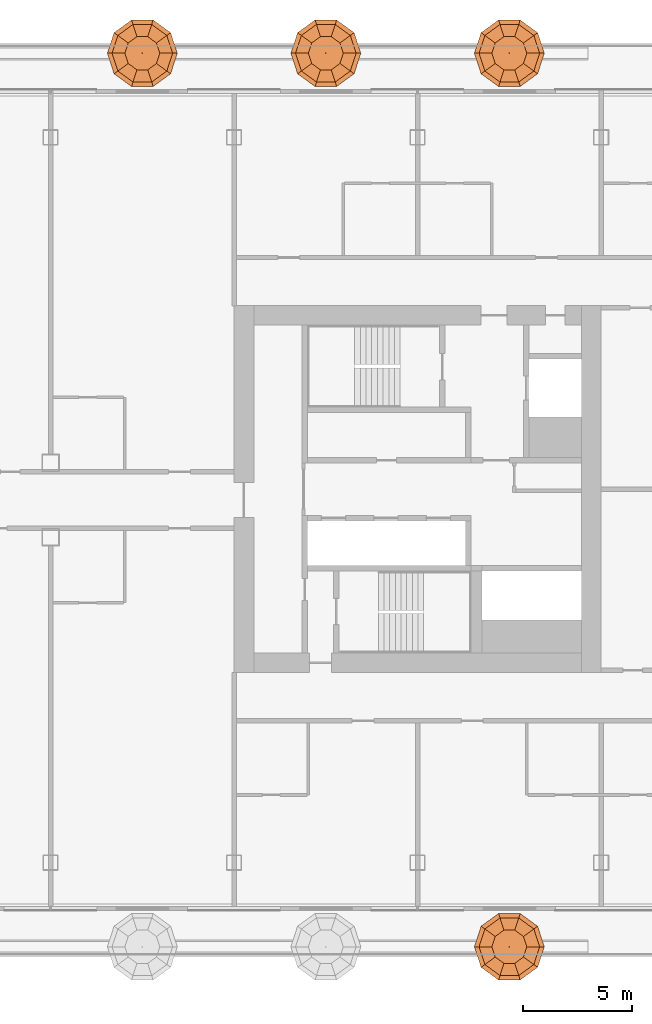
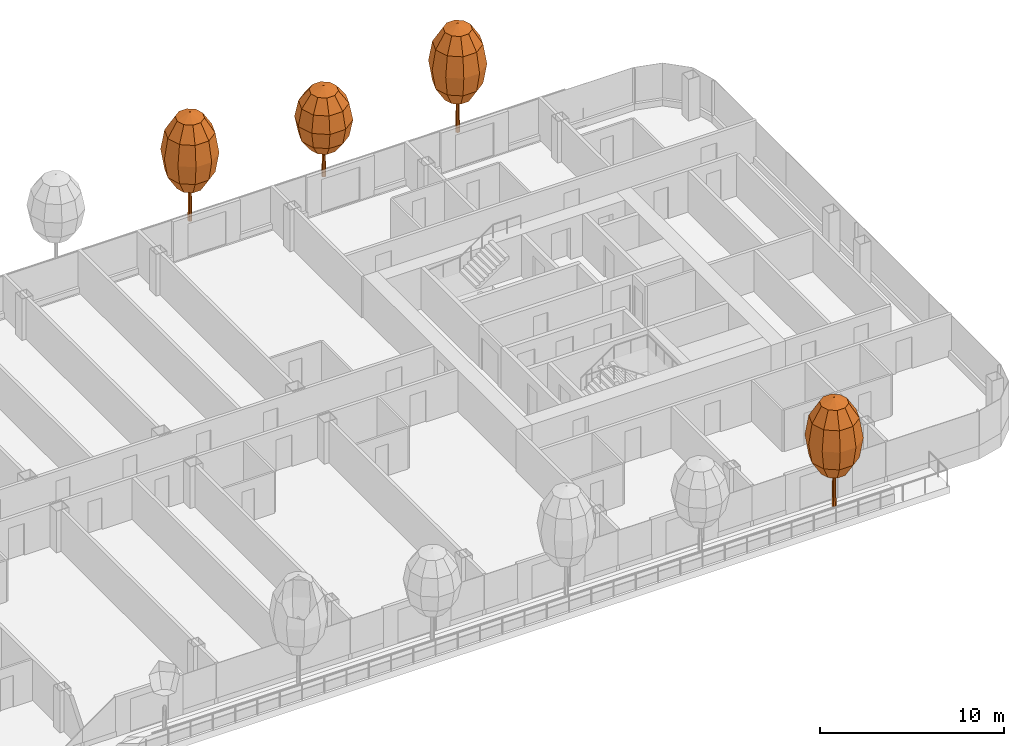
# One storey, part 29 of 29: 4 geographic elements.
"""IFC4 building model written with IfcOpenShell, lengths in metres."""

import ifcopenshell
import ifcopenshell.guid

model = None  # the IFC model being written
_history = None  # IfcOwnerHistory: only IFC2X3 demands one
_inside = {}  # id of a spatial element -> (the spatial element, [elements in it])
_under = {}  # id of a project, library or spatial element -> (it, [spatial elements below it])
_declared = {}  # id of a project -> (the project, [libraries it declares])
_typed = {}  # id of a type object -> (the type object, [elements of that type])
_made_of = {}  # id of a material, layer set ... -> (it, [elements and type objects made of it])


def new_model(schema):
    """Start an empty IFC model of exactly this schema.

    Asked for "IFC4X3", IfcOpenShell would pick the latest addendum, in which some entities
    have other attributes; the version numbers below select the first issue.
    IFC2X3 requires an IfcOwnerHistory on every rooted entity: one is made here for all.
    """
    global model, _history
    if schema == "IFC4X3":
        model = ifcopenshell.file(schema_version=(4, 3, 0, 0))
    else:
        model = ifcopenshell.file(schema=schema)
    _inside.clear()
    _under.clear()
    _declared.clear()
    _typed.clear()
    _made_of.clear()
    _history = None
    if model.schema == "IFC2X3":
        org = make("IfcOrganization", Name="unknown")
        user = make(
            "IfcPersonAndOrganization",
            ThePerson=make("IfcPerson", FamilyName="unknown"),
            TheOrganization=org,
        )
        app = make(
            "IfcApplication",
            ApplicationDeveloper=org,
            Version="unknown",
            ApplicationFullName="unknown",
            ApplicationIdentifier="unknown",
        )
        _history = make(
            "IfcOwnerHistory",
            OwningUser=user,
            OwningApplication=app,
            ChangeAction="ADDED",
            CreationDate=0,
        )
    return model


def make(cls, **values):
    """One entity of the class cls with the attributes given. An attribute that is None is left unset."""
    return model.create_entity(
        cls, **{name: value for name, value in values.items() if value is not None}
    )


def rooted(cls, **values):
    """An entity with a GlobalId (a new one), such as an element, a storey or a relation."""
    return make(cls, GlobalId=ifcopenshell.guid.new(), OwnerHistory=_history, **values)


def si_unit(unit_type, name, prefix=None):
    """IfcSIUnit, for example si_unit("LENGTHUNIT", "METRE", prefix="MILLI")."""
    return make("IfcSIUnit", UnitType=unit_type, Prefix=prefix, Name=name)


def assignment(units):
    """IfcUnitAssignment: the units of a project."""
    return None if units is None else make("IfcUnitAssignment", Units=units)


def point(xyz):
    """IfcCartesianPoint."""
    return None if xyz is None else make("IfcCartesianPoint", Coordinates=xyz)


def direction(xyz):
    """IfcDirection."""
    return None if xyz is None else make("IfcDirection", DirectionRatios=xyz)


def frame(location, z_axis=None, x_axis=None):
    """IfcAxis2Placement3D, a coordinate frame: its origin and axes. An axis left out is left unset."""
    return make(
        "IfcAxis2Placement3D",
        Location=point(location),
        Axis=direction(z_axis),
        RefDirection=direction(x_axis),
    )


def origin():
    """The frame at (0, 0, 0) with its axes left unset."""
    return frame((0.0, 0.0, 0.0))


def place(relative_to, where):
    """IfcLocalPlacement: puts the frame where relative to a parent placement (None: the world)."""
    return make(
        "IfcLocalPlacement", PlacementRelTo=relative_to, RelativePlacement=where
    )


def context(
    kind, dimensions, precision=None, world=None, true_north=None, identifier=None
):
    """IfcGeometricRepresentationContext, for example the 3D "Model" context."""
    return make(
        "IfcGeometricRepresentationContext",
        ContextIdentifier=identifier,
        ContextType=kind,
        CoordinateSpaceDimension=dimensions,
        Precision=precision,
        WorldCoordinateSystem=world,
        TrueNorth=true_north,
    )


def subcontext(parent, identifier, kind, view, scale=None):
    """IfcGeometricRepresentationSubContext, for example "Body" below "Model"."""
    return make(
        "IfcGeometricRepresentationSubContext",
        ContextIdentifier=identifier,
        ContextType=kind,
        ParentContext=parent,
        TargetScale=scale,
        TargetView=view,
    )


def project(units=None, contexts=None):
    """IfcProject with its units and contexts."""
    return rooted(
        "IfcProject",
        Name="project",
        RepresentationContexts=contexts,
        UnitsInContext=assignment(units),
    )


def spatial(cls, under=None, at=None, **own):
    """A site, building, storey or space (cls), placed at a placement, below another one or the project."""
    s = rooted(cls, ObjectPlacement=at, **own)
    if under is not None:
        _under.setdefault(under.id(), (under, []))[1].append(s)
    return s


def point_list(points):
    """IfcCartesianPointList2D or 3D."""
    cls = (
        "IfcCartesianPointList2D" if len(points[0]) == 2 else "IfcCartesianPointList3D"
    )
    return make(cls, CoordList=points)


def triangles(points, corners, closed=None, point_numbers=None):
    """IfcTriangulatedFaceSet: each triangle names its three corners, points numbered from 1."""
    return make(
        "IfcTriangulatedFaceSet",
        Coordinates=point_list(points),
        Closed=closed,
        CoordIndex=corners,
        PnIndex=point_numbers,
    )


def shape(context_of_items, identifier, shape_type, items):
    """IfcShapeRepresentation: the items that make up one representation, for example the "Body"."""
    return make(
        "IfcShapeRepresentation",
        ContextOfItems=context_of_items,
        RepresentationIdentifier=identifier,
        RepresentationType=shape_type,
        Items=items,
    )


def material(Name=None, Category=None):
    """IfcMaterial."""
    return make("IfcMaterial", Name=Name, Category=Category)


def made_of(thing, what):
    """Note that an element or type object is made of a material, layer set ...; save() writes the relation."""
    if what is not None:
        _made_of.setdefault(what.id(), (what, []))[1].append(thing)
    return thing


def type_object(cls, material=None, **own):
    """A type object (cls), such as IfcWallType, which elements share."""
    return made_of(rooted(cls, **own), material)


def element(
    cls,
    number,
    at=None,
    inside=None,
    cuts=None,
    type_object=None,
    material=None,
    context=None,
    identifier="Body",
    shape_type=None,
    held_by="IfcProductDefinitionShape",
    body=None,
    shapes=None,
    **own,
):
    """One element of the class cls, such as IfcWall. Its Tag is "e" and its number.

    at: its placement. inside: the storey or other place that contains it. cuts: it is an
    opening in that element (IfcRelVoidsElement). A single representation is given by context,
    identifier, shape_type and body (its items); several are given by shapes. held_by: the class
    of the entity that holds the representations. save() writes the other relations.
    """
    e = rooted(cls, Tag="e%d" % number, ObjectPlacement=at, **own)
    if body is not None:
        shapes = [shape(context, identifier, shape_type, body)]
    if shapes is not None:
        e.Representation = make(held_by, Representations=shapes)
    if inside is not None:
        _inside.setdefault(inside.id(), (inside, []))[1].append(e)
    if cuts is not None:
        rooted(
            "IfcRelVoidsElement", RelatingBuildingElement=cuts, RelatedOpeningElement=e
        )
    if type_object is not None:
        _typed.setdefault(type_object.id(), (type_object, []))[1].append(e)
    return made_of(e, material)


def aggregate(whole, parts):
    """IfcRelAggregates: a whole, such as a stair, and the parts it consists of."""
    return rooted("IfcRelAggregates", RelatingObject=whole, RelatedObjects=parts)


def save(model, path):
    """Write the relations noted so far, then the file.

    IfcRelAggregates (storeys below a building ...), IfcRelContainedInSpatialStructure (elements
    in a storey), IfcRelDefinesByType, IfcRelAssociatesMaterial and IfcRelDeclares: one each for
    every whole, place, type object, material and project.
    """
    for whole, parts in _under.values():
        aggregate(whole, parts)
    for where, things in _inside.values():
        rooted(
            "IfcRelContainedInSpatialStructure",
            RelatedElements=things,
            RelatingStructure=where,
        )
    for kind, things in _typed.values():
        rooted("IfcRelDefinesByType", RelatedObjects=things, RelatingType=kind)
    for what, things in _made_of.values():
        rooted("IfcRelAssociatesMaterial", RelatedObjects=things, RelatingMaterial=what)
    for by, libraries in _declared.values():
        rooted("IfcRelDeclares", RelatingContext=by, RelatedDefinitions=libraries)
    model.write(path)


model = new_model("IFC4")

# Units and contexts
model_context = context("Model", 3, precision=1e-05, world=origin(), true_north=direction((0.0, 1.0)))
body_context = subcontext(model_context, "Body", "Model", "MODEL_VIEW")
ifc_project = project(units=[si_unit("LENGTHUNIT", "METRE"), si_unit("AREAUNIT", "SQUARE_METRE"), si_unit("VOLUMEUNIT", "CUBIC_METRE"), si_unit("PLANEANGLEUNIT", "RADIAN"), si_unit("MASSUNIT", "GRAM", prefix="KILO")], contexts=[model_context])

# Site, building, storey
site_placement = place(None, origin())
site = spatial("IfcSite", under=ifc_project, at=site_placement, CompositionType="ELEMENT")
building_placement = place(site_placement, origin())
building = spatial("IfcBuilding", under=site, at=building_placement, Name="Hakoniwa Tower and Hamabe Station Hall", CompositionType="ELEMENT")
storey_placement = place(building_placement, frame((0.0, 0.0, 163.0)))
storey = spatial("IfcBuildingStorey", under=building, at=storey_placement, Name="L46", CompositionType="ELEMENT", Elevation=163.0)

# Geographic elements
ifc_material_1 = material(Name="Tree foliage")
geographic_element_type_1 = type_object("IfcGeographicElementType", Name="Japanese maple 7.2 m", PredefinedType="USERDEFINED", material=ifc_material_1)
geographic_element_1_placement = place(storey_placement, frame((12.60009765625, 19.949951171875, 0.89990234375)))
element("IfcGeographicElement", 1, at=geographic_element_1_placement, inside=storey, type_object=geographic_element_type_1, Name="Japanese maple 7-2 m", ObjectType="TREE", PredefinedType="USERDEFINED", context=body_context, shape_type="Tessellation", body=[
    triangles([(0.125, 0.0, 0.0), (0.08837890625, 0.08837890625, 0.0), (0.0, 0.125, 0.0), (-0.08837890625, 0.08837890625, 0.0), (-0.125, 0.0, 0.0), (-0.08837890625, -0.08837890625, 0.0), (0.0, -0.125, 0.0), (0.08837890625, -0.08837890625, 0.0), (0.074951171875, 0.0, 4.348876953125), (0.052978515625, 0.052978515625, 4.348876953125), (0.0, 0.074951171875, 4.348876953125), (-0.052978515625, 0.052978515625, 4.348876953125), (-0.074951171875, 0.0, 4.348876953125), (-0.052978515625, -0.052978515625, 4.348876953125), (0.0, -0.074951171875, 4.348876953125), (0.052978515625, -0.052978515625, 4.348876953125), (0.0, 0.0, 0.0), (0.0, 0.0, 4.348876953125)], [[1, 2, 10], [1, 10, 9], [17, 2, 1], [18, 9, 10], [2, 3, 11], [2, 11, 10], [17, 3, 2], [18, 10, 11], [3, 4, 12], [3, 12, 11], [17, 4, 3], [18, 11, 12], [4, 5, 13], [4, 13, 12], [17, 5, 4], [18, 12, 13], [5, 6, 14], [5, 14, 13], [17, 6, 5], [18, 13, 14], [6, 7, 15], [6, 15, 14], [17, 7, 6], [18, 14, 15], [7, 8, 16], [7, 16, 15], [17, 8, 7], [18, 15, 16], [8, 1, 9], [8, 9, 16], [17, 1, 8], [18, 16, 9]], closed=True),
    triangles([(0.0, 0.0, 2.015869140625), (0.800048828125, 0.0, 2.36328125), (0.647216796875, 0.47021484375, 2.36328125), (0.247314453125, 0.7607421875, 2.36328125), (-0.247314453125, 0.7607421875, 2.36328125), (-0.647216796875, 0.47021484375, 2.36328125), (-0.800048828125, 0.0, 2.36328125), (-0.647216796875, -0.47021484375, 2.36328125), (-0.247314453125, -0.7607421875, 2.36328125), (0.247314453125, -0.7607421875, 2.36328125), (0.647216796875, -0.47021484375, 2.36328125), (1.385498046875, 0.0, 3.31201171875), (1.12109375, 0.814453125, 3.31201171875), (0.42822265625, 1.31787109375, 3.31201171875), (-0.42822265625, 1.31787109375, 3.31201171875), (-1.12109375, 0.814453125, 3.31201171875), (-1.385498046875, 0.0, 3.31201171875), (-1.12109375, -0.814453125, 3.31201171875), (-0.42822265625, -1.31787109375, 3.31201171875), (0.42822265625, -1.31787109375, 3.31201171875), (1.12109375, -0.814453125, 3.31201171875), (1.60009765625, 0.0, 4.60791015625), (1.29443359375, 0.9404296875, 4.60791015625), (0.494384765625, 1.521728515625, 4.60791015625), (-0.494384765625, 1.521728515625, 4.60791015625), (-1.29443359375, 0.9404296875, 4.60791015625), (-1.60009765625, 0.0, 4.60791015625), (-1.29443359375, -0.9404296875, 4.60791015625), (-0.494384765625, -1.521728515625, 4.60791015625), (0.494384765625, -1.521728515625, 4.60791015625), (1.29443359375, -0.9404296875, 4.60791015625), (1.385498046875, 0.0, 5.904052734375), (1.12109375, 0.814453125, 5.904052734375), (0.42822265625, 1.31787109375, 5.904052734375), (-0.42822265625, 1.31787109375, 5.904052734375), (-1.12109375, 0.814453125, 5.904052734375), (-1.385498046875, 0.0, 5.904052734375), (-1.12109375, -0.814453125, 5.904052734375), (-0.42822265625, -1.31787109375, 5.904052734375), (0.42822265625, -1.31787109375, 5.904052734375), (1.12109375, -0.814453125, 5.904052734375), (0.800048828125, 0.0, 6.852783203125), (0.647216796875, 0.47021484375, 6.852783203125), (0.247314453125, 0.7607421875, 6.852783203125), (-0.247314453125, 0.7607421875, 6.852783203125), (-0.647216796875, 0.47021484375, 6.852783203125), (-0.800048828125, 0.0, 6.852783203125), (-0.647216796875, -0.47021484375, 6.852783203125), (-0.247314453125, -0.7607421875, 6.852783203125), (0.247314453125, -0.7607421875, 6.852783203125), (0.647216796875, -0.47021484375, 6.852783203125), (0.0, 0.0, 7.199951171875)], [[1, 3, 2], [1, 4, 3], [1, 5, 4], [1, 6, 5], [1, 7, 6], [1, 8, 7], [1, 9, 8], [1, 10, 9], [1, 11, 10], [1, 2, 11], [2, 3, 13], [2, 13, 12], [3, 4, 14], [3, 14, 13], [4, 5, 15], [4, 15, 14], [5, 6, 16], [5, 16, 15], [6, 7, 17], [6, 17, 16], [7, 8, 18], [7, 18, 17], [8, 9, 19], [8, 19, 18], [9, 10, 20], [9, 20, 19], [10, 11, 21], [10, 21, 20], [11, 2, 12], [11, 12, 21], [12, 13, 23], [12, 23, 22], [13, 14, 24], [13, 24, 23], [14, 15, 25], [14, 25, 24], [15, 16, 26], [15, 26, 25], [16, 17, 27], [16, 27, 26], [17, 18, 28], [17, 28, 27], [18, 19, 29], [18, 29, 28], [19, 20, 30], [19, 30, 29], [20, 21, 31], [20, 31, 30], [21, 12, 22], [21, 22, 31], [22, 23, 33], [22, 33, 32], [23, 24, 34], [23, 34, 33], [24, 25, 35], [24, 35, 34], [25, 26, 36], [25, 36, 35], [26, 27, 37], [26, 37, 36], [27, 28, 38], [27, 38, 37], [28, 29, 39], [28, 39, 38], [29, 30, 40], [29, 40, 39], [30, 31, 41], [30, 41, 40], [31, 22, 32], [31, 32, 41], [32, 33, 43], [32, 43, 42], [33, 34, 44], [33, 44, 43], [34, 35, 45], [34, 45, 44], [35, 36, 46], [35, 46, 45], [36, 37, 47], [36, 47, 46], [37, 38, 48], [37, 48, 47], [38, 39, 49], [38, 49, 48], [39, 40, 50], [39, 50, 49], [40, 41, 51], [40, 51, 50], [41, 32, 42], [41, 42, 51], [52, 42, 43], [52, 43, 44], [52, 44, 45], [52, 45, 46], [52, 46, 47], [52, 47, 48], [52, 48, 49], [52, 49, 50], [52, 50, 51], [52, 51, 42]], closed=True),
])
geographic_element_2_placement = place(storey_placement, frame((29.39990234375, 19.949951171875, 0.89990234375)))
element("IfcGeographicElement", 2, at=geographic_element_2_placement, inside=storey, type_object=geographic_element_type_1, Name="Japanese maple 7-2 m", ObjectType="TREE", PredefinedType="USERDEFINED", context=body_context, shape_type="Tessellation", body=[
    triangles([(0.125, 0.0, 0.0), (0.08837890625, 0.08837890625, 0.0), (0.0, 0.125, 0.0), (-0.08837890625, 0.08837890625, 0.0), (-0.125, 0.0, 0.0), (-0.08837890625, -0.08837890625, 0.0), (0.0, -0.125, 0.0), (0.08837890625, -0.08837890625, 0.0), (0.074951171875, 0.0, 4.348876953125), (0.052978515625, 0.052978515625, 4.348876953125), (0.0, 0.074951171875, 4.348876953125), (-0.052978515625, 0.052978515625, 4.348876953125), (-0.074951171875, 0.0, 4.348876953125), (-0.052978515625, -0.052978515625, 4.348876953125), (0.0, -0.074951171875, 4.348876953125), (0.052978515625, -0.052978515625, 4.348876953125), (0.0, 0.0, 0.0), (0.0, 0.0, 4.348876953125)], [[1, 2, 10], [1, 10, 9], [17, 2, 1], [18, 9, 10], [2, 3, 11], [2, 11, 10], [17, 3, 2], [18, 10, 11], [3, 4, 12], [3, 12, 11], [17, 4, 3], [18, 11, 12], [4, 5, 13], [4, 13, 12], [17, 5, 4], [18, 12, 13], [5, 6, 14], [5, 14, 13], [17, 6, 5], [18, 13, 14], [6, 7, 15], [6, 15, 14], [17, 7, 6], [18, 14, 15], [7, 8, 16], [7, 16, 15], [17, 8, 7], [18, 15, 16], [8, 1, 9], [8, 9, 16], [17, 1, 8], [18, 16, 9]], closed=True),
    triangles([(0.0, 0.0, 2.015869140625), (0.800048828125, 0.0, 2.36328125), (0.647216796875, 0.47021484375, 2.36328125), (0.247314453125, 0.7607421875, 2.36328125), (-0.247314453125, 0.7607421875, 2.36328125), (-0.647216796875, 0.47021484375, 2.36328125), (-0.800048828125, 0.0, 2.36328125), (-0.647216796875, -0.47021484375, 2.36328125), (-0.247314453125, -0.7607421875, 2.36328125), (0.247314453125, -0.7607421875, 2.36328125), (0.647216796875, -0.47021484375, 2.36328125), (1.385498046875, 0.0, 3.31201171875), (1.12109375, 0.814453125, 3.31201171875), (0.42822265625, 1.31787109375, 3.31201171875), (-0.42822265625, 1.31787109375, 3.31201171875), (-1.12109375, 0.814453125, 3.31201171875), (-1.385498046875, 0.0, 3.31201171875), (-1.12109375, -0.814453125, 3.31201171875), (-0.42822265625, -1.31787109375, 3.31201171875), (0.42822265625, -1.31787109375, 3.31201171875), (1.12109375, -0.814453125, 3.31201171875), (1.60009765625, 0.0, 4.60791015625), (1.29443359375, 0.9404296875, 4.60791015625), (0.494384765625, 1.521728515625, 4.60791015625), (-0.494384765625, 1.521728515625, 4.60791015625), (-1.29443359375, 0.9404296875, 4.60791015625), (-1.60009765625, 0.0, 4.60791015625), (-1.29443359375, -0.9404296875, 4.60791015625), (-0.494384765625, -1.521728515625, 4.60791015625), (0.494384765625, -1.521728515625, 4.60791015625), (1.29443359375, -0.9404296875, 4.60791015625), (1.385498046875, 0.0, 5.904052734375), (1.12109375, 0.814453125, 5.904052734375), (0.42822265625, 1.31787109375, 5.904052734375), (-0.42822265625, 1.31787109375, 5.904052734375), (-1.12109375, 0.814453125, 5.904052734375), (-1.385498046875, 0.0, 5.904052734375), (-1.12109375, -0.814453125, 5.904052734375), (-0.42822265625, -1.31787109375, 5.904052734375), (0.42822265625, -1.31787109375, 5.904052734375), (1.12109375, -0.814453125, 5.904052734375), (0.800048828125, 0.0, 6.852783203125), (0.647216796875, 0.47021484375, 6.852783203125), (0.247314453125, 0.7607421875, 6.852783203125), (-0.247314453125, 0.7607421875, 6.852783203125), (-0.647216796875, 0.47021484375, 6.852783203125), (-0.800048828125, 0.0, 6.852783203125), (-0.647216796875, -0.47021484375, 6.852783203125), (-0.247314453125, -0.7607421875, 6.852783203125), (0.247314453125, -0.7607421875, 6.852783203125), (0.647216796875, -0.47021484375, 6.852783203125), (0.0, 0.0, 7.199951171875)], [[1, 3, 2], [1, 4, 3], [1, 5, 4], [1, 6, 5], [1, 7, 6], [1, 8, 7], [1, 9, 8], [1, 10, 9], [1, 11, 10], [1, 2, 11], [2, 3, 13], [2, 13, 12], [3, 4, 14], [3, 14, 13], [4, 5, 15], [4, 15, 14], [5, 6, 16], [5, 16, 15], [6, 7, 17], [6, 17, 16], [7, 8, 18], [7, 18, 17], [8, 9, 19], [8, 19, 18], [9, 10, 20], [9, 20, 19], [10, 11, 21], [10, 21, 20], [11, 2, 12], [11, 12, 21], [12, 13, 23], [12, 23, 22], [13, 14, 24], [13, 24, 23], [14, 15, 25], [14, 25, 24], [15, 16, 26], [15, 26, 25], [16, 17, 27], [16, 27, 26], [17, 18, 28], [17, 28, 27], [18, 19, 29], [18, 29, 28], [19, 20, 30], [19, 30, 29], [20, 21, 31], [20, 31, 30], [21, 12, 22], [21, 22, 31], [22, 23, 33], [22, 33, 32], [23, 24, 34], [23, 34, 33], [24, 25, 35], [24, 35, 34], [25, 26, 36], [25, 36, 35], [26, 27, 37], [26, 37, 36], [27, 28, 38], [27, 38, 37], [28, 29, 39], [28, 39, 38], [29, 30, 40], [29, 40, 39], [30, 31, 41], [30, 41, 40], [31, 22, 32], [31, 32, 41], [32, 33, 43], [32, 43, 42], [33, 34, 44], [33, 44, 43], [34, 35, 45], [34, 45, 44], [35, 36, 46], [35, 46, 45], [36, 37, 47], [36, 47, 46], [37, 38, 48], [37, 48, 47], [38, 39, 49], [38, 49, 48], [39, 40, 50], [39, 50, 49], [40, 41, 51], [40, 51, 50], [41, 32, 42], [41, 42, 51], [52, 42, 43], [52, 43, 44], [52, 44, 45], [52, 45, 46], [52, 46, 47], [52, 47, 48], [52, 48, 49], [52, 49, 50], [52, 50, 51], [52, 51, 42]], closed=True),
])
geographic_element_3_placement = place(storey_placement, frame((29.39990234375, -20.949951171875, 0.89990234375)))
element("IfcGeographicElement", 3, at=geographic_element_3_placement, inside=storey, type_object=geographic_element_type_1, Name="Japanese maple 7-2 m", ObjectType="TREE", PredefinedType="USERDEFINED", context=body_context, shape_type="Tessellation", body=[
    triangles([(0.125, 0.0, 0.0), (0.08837890625, 0.08837890625, 0.0), (0.0, 0.125, 0.0), (-0.08837890625, 0.08837890625, 0.0), (-0.125, 0.0, 0.0), (-0.08837890625, -0.08837890625, 0.0), (0.0, -0.125, 0.0), (0.08837890625, -0.08837890625, 0.0), (0.074951171875, 0.0, 4.348876953125), (0.052978515625, 0.052978515625, 4.348876953125), (0.0, 0.074951171875, 4.348876953125), (-0.052978515625, 0.052978515625, 4.348876953125), (-0.074951171875, 0.0, 4.348876953125), (-0.052978515625, -0.052978515625, 4.348876953125), (0.0, -0.074951171875, 4.348876953125), (0.052978515625, -0.052978515625, 4.348876953125), (0.0, 0.0, 0.0), (0.0, 0.0, 4.348876953125)], [[1, 2, 10], [1, 10, 9], [17, 2, 1], [18, 9, 10], [2, 3, 11], [2, 11, 10], [17, 3, 2], [18, 10, 11], [3, 4, 12], [3, 12, 11], [17, 4, 3], [18, 11, 12], [4, 5, 13], [4, 13, 12], [17, 5, 4], [18, 12, 13], [5, 6, 14], [5, 14, 13], [17, 6, 5], [18, 13, 14], [6, 7, 15], [6, 15, 14], [17, 7, 6], [18, 14, 15], [7, 8, 16], [7, 16, 15], [17, 8, 7], [18, 15, 16], [8, 1, 9], [8, 9, 16], [17, 1, 8], [18, 16, 9]], closed=True),
    triangles([(0.0, 0.0, 2.015869140625), (0.800048828125, 0.0, 2.36328125), (0.647216796875, 0.47021484375, 2.36328125), (0.247314453125, 0.7607421875, 2.36328125), (-0.247314453125, 0.7607421875, 2.36328125), (-0.647216796875, 0.47021484375, 2.36328125), (-0.800048828125, 0.0, 2.36328125), (-0.647216796875, -0.47021484375, 2.36328125), (-0.247314453125, -0.7607421875, 2.36328125), (0.247314453125, -0.7607421875, 2.36328125), (0.647216796875, -0.47021484375, 2.36328125), (1.385498046875, 0.0, 3.31201171875), (1.12109375, 0.814453125, 3.31201171875), (0.42822265625, 1.31787109375, 3.31201171875), (-0.42822265625, 1.31787109375, 3.31201171875), (-1.12109375, 0.814453125, 3.31201171875), (-1.385498046875, 0.0, 3.31201171875), (-1.12109375, -0.814453125, 3.31201171875), (-0.42822265625, -1.31787109375, 3.31201171875), (0.42822265625, -1.31787109375, 3.31201171875), (1.12109375, -0.814453125, 3.31201171875), (1.60009765625, 0.0, 4.60791015625), (1.29443359375, 0.9404296875, 4.60791015625), (0.494384765625, 1.521728515625, 4.60791015625), (-0.494384765625, 1.521728515625, 4.60791015625), (-1.29443359375, 0.9404296875, 4.60791015625), (-1.60009765625, 0.0, 4.60791015625), (-1.29443359375, -0.9404296875, 4.60791015625), (-0.494384765625, -1.521728515625, 4.60791015625), (0.494384765625, -1.521728515625, 4.60791015625), (1.29443359375, -0.9404296875, 4.60791015625), (1.385498046875, 0.0, 5.904052734375), (1.12109375, 0.814453125, 5.904052734375), (0.42822265625, 1.31787109375, 5.904052734375), (-0.42822265625, 1.31787109375, 5.904052734375), (-1.12109375, 0.814453125, 5.904052734375), (-1.385498046875, 0.0, 5.904052734375), (-1.12109375, -0.814453125, 5.904052734375), (-0.42822265625, -1.31787109375, 5.904052734375), (0.42822265625, -1.31787109375, 5.904052734375), (1.12109375, -0.814453125, 5.904052734375), (0.800048828125, 0.0, 6.852783203125), (0.647216796875, 0.47021484375, 6.852783203125), (0.247314453125, 0.7607421875, 6.852783203125), (-0.247314453125, 0.7607421875, 6.852783203125), (-0.647216796875, 0.47021484375, 6.852783203125), (-0.800048828125, 0.0, 6.852783203125), (-0.647216796875, -0.47021484375, 6.852783203125), (-0.247314453125, -0.7607421875, 6.852783203125), (0.247314453125, -0.7607421875, 6.852783203125), (0.647216796875, -0.47021484375, 6.852783203125), (0.0, 0.0, 7.199951171875)], [[1, 3, 2], [1, 4, 3], [1, 5, 4], [1, 6, 5], [1, 7, 6], [1, 8, 7], [1, 9, 8], [1, 10, 9], [1, 11, 10], [1, 2, 11], [2, 3, 13], [2, 13, 12], [3, 4, 14], [3, 14, 13], [4, 5, 15], [4, 15, 14], [5, 6, 16], [5, 16, 15], [6, 7, 17], [6, 17, 16], [7, 8, 18], [7, 18, 17], [8, 9, 19], [8, 19, 18], [9, 10, 20], [9, 20, 19], [10, 11, 21], [10, 21, 20], [11, 2, 12], [11, 12, 21], [12, 13, 23], [12, 23, 22], [13, 14, 24], [13, 24, 23], [14, 15, 25], [14, 25, 24], [15, 16, 26], [15, 26, 25], [16, 17, 27], [16, 27, 26], [17, 18, 28], [17, 28, 27], [18, 19, 29], [18, 29, 28], [19, 20, 30], [19, 30, 29], [20, 21, 31], [20, 31, 30], [21, 12, 22], [21, 22, 31], [22, 23, 33], [22, 33, 32], [23, 24, 34], [23, 34, 33], [24, 25, 35], [24, 35, 34], [25, 26, 36], [25, 36, 35], [26, 27, 37], [26, 37, 36], [27, 28, 38], [27, 38, 37], [28, 29, 39], [28, 39, 38], [29, 30, 40], [29, 40, 39], [30, 31, 41], [30, 41, 40], [31, 22, 32], [31, 32, 41], [32, 33, 43], [32, 43, 42], [33, 34, 44], [33, 44, 43], [34, 35, 45], [34, 45, 44], [35, 36, 46], [35, 46, 45], [36, 37, 47], [36, 47, 46], [37, 38, 48], [37, 48, 47], [38, 39, 49], [38, 49, 48], [39, 40, 50], [39, 50, 49], [40, 41, 51], [40, 51, 50], [41, 32, 42], [41, 42, 51], [52, 42, 43], [52, 43, 44], [52, 44, 45], [52, 45, 46], [52, 46, 47], [52, 47, 48], [52, 48, 49], [52, 49, 50], [52, 50, 51], [52, 51, 42]], closed=True),
])
ifc_material_2 = material(Name="Tree foliage")
geographic_element_type_2 = type_object("IfcGeographicElementType", Name="Osmanthus 6.0 m", PredefinedType="USERDEFINED", material=ifc_material_2)
geographic_element_4_placement = place(storey_placement, frame((21.0, 19.949951171875, 0.89990234375)))
element("IfcGeographicElement", 4, at=geographic_element_4_placement, inside=storey, type_object=geographic_element_type_2, Name="Osmanthus 6-0 m", ObjectType="TREE", PredefinedType="USERDEFINED", context=body_context, shape_type="Tessellation", body=[
    triangles([(0.125, 0.0, 0.0), (0.08837890625, 0.08837890625, 0.0), (0.0, 0.125, 0.0), (-0.08837890625, 0.08837890625, 0.0), (-0.125, 0.0, 0.0), (-0.08837890625, -0.08837890625, 0.0), (0.0, -0.125, 0.0), (0.08837890625, -0.08837890625, 0.0), (0.074951171875, 0.0, 3.6240234375), (0.052978515625, 0.052978515625, 3.6240234375), (0.0, 0.074951171875, 3.6240234375), (-0.052978515625, 0.052978515625, 3.6240234375), (-0.074951171875, 0.0, 3.6240234375), (-0.052978515625, -0.052978515625, 3.6240234375), (0.0, -0.074951171875, 3.6240234375), (0.052978515625, -0.052978515625, 3.6240234375), (0.0, 0.0, 0.0), (0.0, 0.0, 3.6240234375)], [[1, 2, 10], [1, 10, 9], [17, 2, 1], [18, 9, 10], [2, 3, 11], [2, 11, 10], [17, 3, 2], [18, 10, 11], [3, 4, 12], [3, 12, 11], [17, 4, 3], [18, 11, 12], [4, 5, 13], [4, 13, 12], [17, 5, 4], [18, 12, 13], [5, 6, 14], [5, 14, 13], [17, 6, 5], [18, 13, 14], [6, 7, 15], [6, 15, 14], [17, 7, 6], [18, 14, 15], [7, 8, 16], [7, 16, 15], [17, 8, 7], [18, 15, 16], [8, 1, 9], [8, 9, 16], [17, 1, 8], [18, 16, 9]], closed=True),
    triangles([(0.0, 0.0, 1.679931640625), (0.800048828125, 0.0, 1.969482421875), (0.647216796875, 0.47021484375, 1.969482421875), (0.247314453125, 0.7607421875, 1.969482421875), (-0.247314453125, 0.7607421875, 1.969482421875), (-0.647216796875, 0.47021484375, 1.969482421875), (-0.800048828125, 0.0, 1.969482421875), (-0.647216796875, -0.47021484375, 1.969482421875), (-0.247314453125, -0.7607421875, 1.969482421875), (0.247314453125, -0.7607421875, 1.969482421875), (0.647216796875, -0.47021484375, 1.969482421875), (1.385498046875, 0.0, 2.760009765625), (1.12109375, 0.814453125, 2.760009765625), (0.42822265625, 1.31787109375, 2.760009765625), (-0.42822265625, 1.31787109375, 2.760009765625), (-1.12109375, 0.814453125, 2.760009765625), (-1.385498046875, 0.0, 2.760009765625), (-1.12109375, -0.814453125, 2.760009765625), (-0.42822265625, -1.31787109375, 2.760009765625), (0.42822265625, -1.31787109375, 2.760009765625), (1.12109375, -0.814453125, 2.760009765625), (1.60009765625, 0.0, 3.840087890625), (1.29443359375, 0.9404296875, 3.840087890625), (0.494384765625, 1.521728515625, 3.840087890625), (-0.494384765625, 1.521728515625, 3.840087890625), (-1.29443359375, 0.9404296875, 3.840087890625), (-1.60009765625, 0.0, 3.840087890625), (-1.29443359375, -0.9404296875, 3.840087890625), (-0.494384765625, -1.521728515625, 3.840087890625), (0.494384765625, -1.521728515625, 3.840087890625), (1.29443359375, -0.9404296875, 3.840087890625), (1.385498046875, 0.0, 4.919921875), (1.12109375, 0.814453125, 4.919921875), (0.42822265625, 1.31787109375, 4.919921875), (-0.42822265625, 1.31787109375, 4.919921875), (-1.12109375, 0.814453125, 4.919921875), (-1.385498046875, 0.0, 4.919921875), (-1.12109375, -0.814453125, 4.919921875), (-0.42822265625, -1.31787109375, 4.919921875), (0.42822265625, -1.31787109375, 4.919921875), (1.12109375, -0.814453125, 4.919921875), (0.800048828125, 0.0, 5.710693359375), (0.647216796875, 0.47021484375, 5.710693359375), (0.247314453125, 0.7607421875, 5.710693359375), (-0.247314453125, 0.7607421875, 5.710693359375), (-0.647216796875, 0.47021484375, 5.710693359375), (-0.800048828125, 0.0, 5.710693359375), (-0.647216796875, -0.47021484375, 5.710693359375), (-0.247314453125, -0.7607421875, 5.710693359375), (0.247314453125, -0.7607421875, 5.710693359375), (0.647216796875, -0.47021484375, 5.710693359375), (0.0, 0.0, 6.0)], [[1, 3, 2], [1, 4, 3], [1, 5, 4], [1, 6, 5], [1, 7, 6], [1, 8, 7], [1, 9, 8], [1, 10, 9], [1, 11, 10], [1, 2, 11], [2, 3, 13], [2, 13, 12], [3, 4, 14], [3, 14, 13], [4, 5, 15], [4, 15, 14], [5, 6, 16], [5, 16, 15], [6, 7, 17], [6, 17, 16], [7, 8, 18], [7, 18, 17], [8, 9, 19], [8, 19, 18], [9, 10, 20], [9, 20, 19], [10, 11, 21], [10, 21, 20], [11, 2, 12], [11, 12, 21], [12, 13, 23], [12, 23, 22], [13, 14, 24], [13, 24, 23], [14, 15, 25], [14, 25, 24], [15, 16, 26], [15, 26, 25], [16, 17, 27], [16, 27, 26], [17, 18, 28], [17, 28, 27], [18, 19, 29], [18, 29, 28], [19, 20, 30], [19, 30, 29], [20, 21, 31], [20, 31, 30], [21, 12, 22], [21, 22, 31], [22, 23, 33], [22, 33, 32], [23, 24, 34], [23, 34, 33], [24, 25, 35], [24, 35, 34], [25, 26, 36], [25, 36, 35], [26, 27, 37], [26, 37, 36], [27, 28, 38], [27, 38, 37], [28, 29, 39], [28, 39, 38], [29, 30, 40], [29, 40, 39], [30, 31, 41], [30, 41, 40], [31, 22, 32], [31, 32, 41], [32, 33, 43], [32, 43, 42], [33, 34, 44], [33, 44, 43], [34, 35, 45], [34, 45, 44], [35, 36, 46], [35, 46, 45], [36, 37, 47], [36, 47, 46], [37, 38, 48], [37, 48, 47], [38, 39, 49], [38, 49, 48], [39, 40, 50], [39, 50, 49], [40, 41, 51], [40, 51, 50], [41, 32, 42], [41, 42, 51], [52, 42, 43], [52, 43, 44], [52, 44, 45], [52, 45, 46], [52, 46, 47], [52, 47, 48], [52, 48, 49], [52, 49, 50], [52, 50, 51], [52, 51, 42]], closed=True),
])

save(model, "model.ifc")
